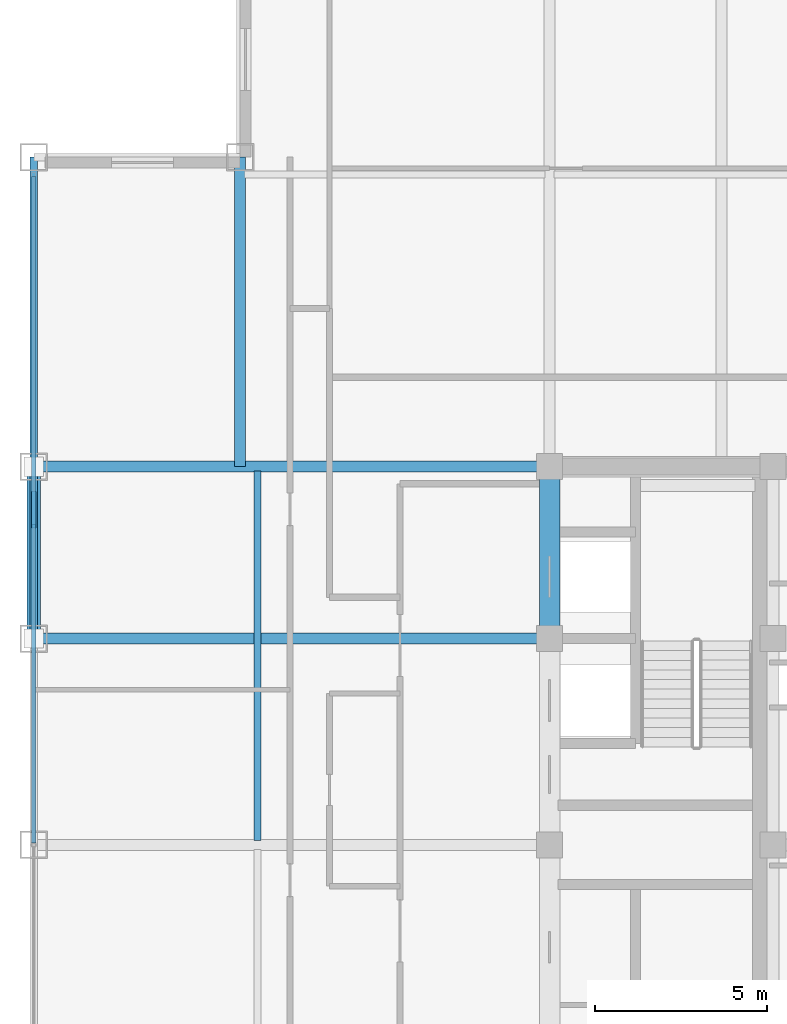
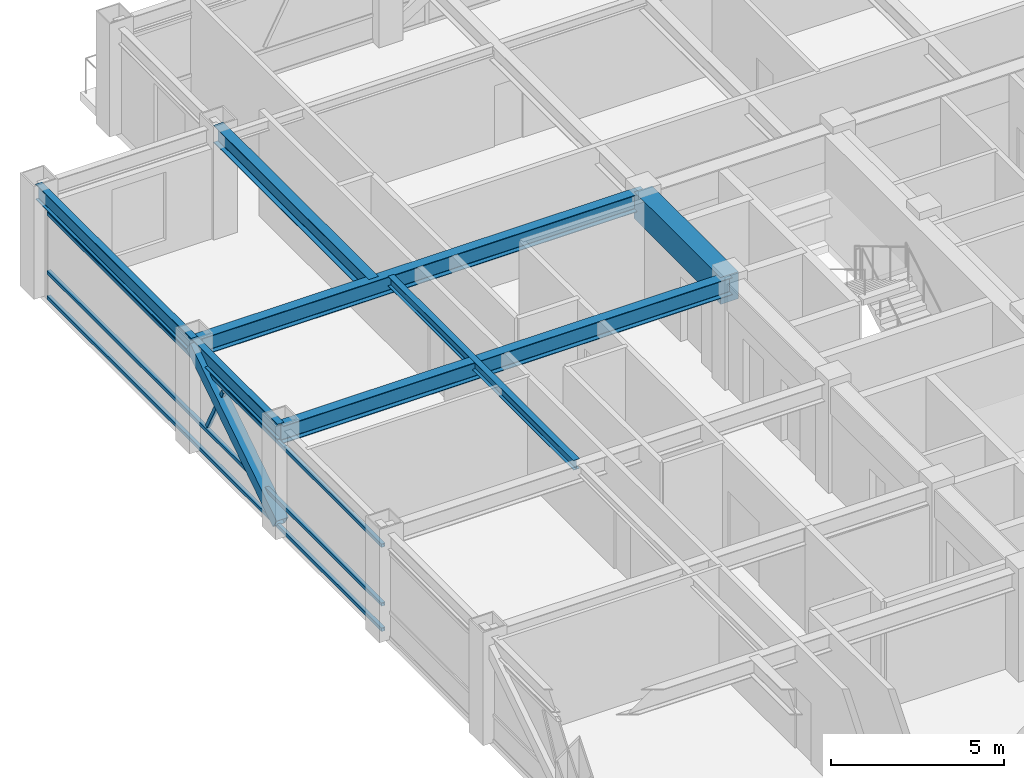
# One storey, part 14 of 30: 7 beams, 5 members, 1 element without a shape of its own.
"""IFC4 building model written with IfcOpenShell, lengths in metres."""

from ifc_helpers import new_model, si_unit, direction, frame, origin, origin_2d, place, context, subcontext, project, spatial, rectangle, hollow_rectangle, i_section, extrude, source, transform, mapped, material, material_profile, profile_set, type_object, element, aggregate, save


model = new_model("IFC4")

# Units and contexts
model_context = context("Model", 3, precision=1e-05, world=origin(), true_north=direction((0.0, 1.0)))
body_context = subcontext(model_context, "Body", "Model", "MODEL_VIEW")
ifc_project = project(units=[si_unit("LENGTHUNIT", "METRE"), si_unit("AREAUNIT", "SQUARE_METRE"), si_unit("VOLUMEUNIT", "CUBIC_METRE"), si_unit("PLANEANGLEUNIT", "RADIAN"), si_unit("MASSUNIT", "GRAM", prefix="KILO")], contexts=[model_context])

# Site, building, storey
site_placement = place(None, origin())
site = spatial("IfcSite", under=ifc_project, at=site_placement, CompositionType="ELEMENT")
building_placement = place(site_placement, origin())
building = spatial("IfcBuilding", under=site, at=building_placement, Name="Khorayat Bourse Tower", CompositionType="ELEMENT")
storey_placement = place(building_placement, frame((0.0, 0.0, 326.300048828125)))
storey = spatial("IfcBuildingStorey", under=building, at=storey_placement, Name="L77", CompositionType="ELEMENT", Elevation=326.300048828125)

# Beams
ifc_material_1 = material(Name="Concrete C60/75", Category="concrete")
ifc_material_profile_1 = material_profile(ifc_material_1, rectangle(XDim=0.60009765625, YDim=0.949951171875, at=origin_2d()), Name="RC 600x950")
ifc_profile_set_1 = profile_set([ifc_material_profile_1], Name="Concrete C60/75")
beam_type_1 = type_object("IfcBeamType", Name="BM-COUP-950", PredefinedType="BEAM", material=ifc_profile_set_1)
shared_shape_1 = source(origin(), body_context, "Body", "SweptSolid", [
    extrude(rectangle(XDim=0.60009765625, YDim=0.949951171875, at=origin_2d()), origin(), (0.0, 0.0, 1.0), 5.0),
])
beam_1_placement = place(storey_placement, frame((-11.0, 6.0, 3.264892578125), z_axis=(0.0, 1.0, 0.0), x_axis=(-1.0, 0.0, 0.0)))
element("IfcBeam", 1, at=beam_1_placement, inside=storey, type_object=beam_type_1, Name="L77 BM-COUP-950 BM-L77-CRX-04", PredefinedType="BEAM", context=body_context, shape_type="MappedRepresentation", body=[
    mapped(shared_shape_1, transform((0.0, 0.0, 0.0), scale=1.0)),
])
ifc_material_2 = material(Name="Steel ASTM A992 Grade 50", Category="steel")
ifc_material_profile_2 = material_profile(ifc_material_2, i_section(OverallWidth=0.202880859375, OverallDepth=0.346923828125, WebThickness=0.0078125, FlangeThickness=0.013427734375, FilletRadius=0.010009765625, at=origin_2d()), Name="W360X64")
ifc_profile_set_2 = profile_set([ifc_material_profile_2], Name="Steel ASTM A992 Grade 50")
beam_type_2 = type_object("IfcBeamType", Name="BM-JOIST-360", PredefinedType="JOIST", material=ifc_profile_set_2)
shared_shape_2 = source(origin(), body_context, "Body", "SweptSolid", [
    extrude(i_section(OverallWidth=0.202880859375, OverallDepth=0.346923828125, WebThickness=0.0078125, FlangeThickness=0.013427734375, FilletRadius=0.010009765625, at=origin_2d()), origin(), (0.0, 0.0, 1.0), 10.740234375),
])
beam_2_placement = place(storey_placement, frame((-19.5, 0.1298828125, 3.56640625), z_axis=(0.0, 1.0, 0.0), x_axis=(-1.0, 0.0, 0.0)))
element("IfcBeam", 2, at=beam_2_placement, inside=storey, type_object=beam_type_2, Name="L77 BM-JOIST-360 BM-L77-JSTY-087", PredefinedType="JOIST", context=body_context, shape_type="MappedRepresentation", body=[
    mapped(shared_shape_2, transform((0.0, 0.0, 0.0), scale=1.0)),
])
ifc_material_profile_3 = material_profile(ifc_material_2, i_section(OverallWidth=0.214111328125, OverallDepth=0.549072265625, WebThickness=0.0146484375, FlangeThickness=0.023681640625, FilletRadius=0.013916015625, at=origin_2d()), Name="W530X138")
ifc_profile_set_3 = profile_set([ifc_material_profile_3], Name="Steel ASTM A992 Grade 50")
beam_type_3 = type_object("IfcBeamType", Name="BM-SPAN-530", PredefinedType="SPANDREL", material=ifc_profile_set_3)
shared_shape_3 = source(origin(), body_context, "Body", "SweptSolid", [
    extrude(i_section(OverallWidth=0.214111328125, OverallDepth=0.549072265625, WebThickness=0.0146484375, FlangeThickness=0.023681640625, FilletRadius=0.013916015625, at=origin_2d()), origin(), (0.0, 0.0, 1.0), 9.0),
])
beam_3_placement = place(storey_placement, frame((-26.0, 11.0, 3.46533203125), z_axis=(0.0, 1.0, 0.0), x_axis=(-1.0, 0.0, 0.0)))
element("IfcBeam", 3, at=beam_3_placement, inside=storey, type_object=beam_type_3, Name="L77 BM-SPAN-530 BM-L77-SPN-048", PredefinedType="SPANDREL", context=body_context, shape_type="MappedRepresentation", body=[
    mapped(shared_shape_3, transform((0.0, 0.0, 0.0), scale=1.0)),
])
shared_shape_4 = source(origin(), body_context, "Body", "SweptSolid", [
    extrude(i_section(OverallWidth=0.214111328125, OverallDepth=0.549072265625, WebThickness=0.0146484375, FlangeThickness=0.023681640625, FilletRadius=0.013916015625, at=origin_2d()), origin(), (0.0, 0.0, 1.0), 5.0),
])
beam_4_placement = place(storey_placement, frame((-26.0, 6.0, 3.46533203125), z_axis=(0.0, 1.0, 0.0), x_axis=(-1.0, 0.0, 0.0)))
element("IfcBeam", 4, at=beam_4_placement, inside=storey, type_object=beam_type_3, Name="L77 BM-SPAN-530 BM-L77-SPN-049", PredefinedType="SPANDREL", context=body_context, shape_type="MappedRepresentation", body=[
    mapped(shared_shape_4, transform((0.0, 0.0, 0.0), scale=1.0)),
])
ifc_material_profile_4 = material_profile(ifc_material_2, i_section(OverallWidth=0.324951171875, OverallDepth=0.615966796875, WebThickness=0.013916015625, FlangeThickness=0.021484375, FilletRadius=0.01611328125, at=origin_2d()), Name="W610X174")
ifc_profile_set_4 = profile_set([ifc_material_profile_4], Name="Steel ASTM A992 Grade 50")
beam_type_4 = type_object("IfcBeamType", Name="BM-GIRD-610", PredefinedType="BEAM", material=ifc_profile_set_4)
shared_shape_5 = source(origin(), body_context, "Body", "SweptSolid", [
    extrude(i_section(OverallWidth=0.324951171875, OverallDepth=0.615966796875, WebThickness=0.013916015625, FlangeThickness=0.021484375, FilletRadius=0.01611328125, at=origin_2d()), origin(), (0.0, 0.0, 1.0), 15.0),
])
for number, where, z_axis, x_axis, name in (
    (5, (-26.0, 6.0, 3.431884765625), (1.0, 0.0, 0.0), (0.0, 1.0, 0.0), "L77 BM-GIRD-610 BM-L77-RADX-073"),
    (6, (-26.0, 11.0, 3.431884765625), (1.0, 0.0, 0.0), (0.0, 1.0, 0.0), "L77 BM-GIRD-610 BM-L77-RADX-075"),
):
    element("IfcBeam", number, at=place(storey_placement, frame(where, z_axis=z_axis, x_axis=x_axis)), inside=storey, type_object=beam_type_4, Name=name, PredefinedType="BEAM", context=body_context, shape_type="MappedRepresentation", body=[
        mapped(shared_shape_5, transform((0.0, 0.0, 0.0), scale=1.0)),
    ])
shared_shape_6 = source(origin(), body_context, "Body", "SweptSolid", [
    extrude(i_section(OverallWidth=0.324951171875, OverallDepth=0.615966796875, WebThickness=0.013916015625, FlangeThickness=0.021484375, FilletRadius=0.01611328125, at=origin_2d()), origin(), (0.0, 0.0, 1.0), 9.0),
])
beam_5_placement = place(storey_placement, frame((-20.0, 11.0, 3.431884765625), z_axis=(0.0, 1.0, 0.0), x_axis=(-1.0, 0.0, 0.0)))
element("IfcBeam", 7, at=beam_5_placement, inside=storey, type_object=beam_type_4, Name="L77 BM-GIRD-610 BM-L77-CNRY-077", PredefinedType="BEAM", context=body_context, shape_type="MappedRepresentation", body=[
    mapped(shared_shape_6, transform((0.0, 0.0, 0.0), scale=1.0)),
])

# Member
ifc_material_3 = material(Name="Steel EN 10025-4 S460M", Category="steel")
ifc_material_profile_5 = material_profile(ifc_material_3, hollow_rectangle(XDim=0.39990234375, YDim=0.39990234375, WallThickness=0.02197265625, at=origin_2d()), Name="HSS 400x400x22")
ifc_profile_set_5 = profile_set([ifc_material_profile_5], Name="Steel EN 10025-4 S460M")
member_type_1 = type_object("IfcMemberType", Name="MBR-TUBE-400", PredefinedType="BRACE", material=ifc_profile_set_5)
shared_shape_7 = source(origin(), body_context, "Body", "SweptSolid", [
    extrude(hollow_rectangle(XDim=0.39990234375, YDim=0.39990234375, WallThickness=0.02197265625, at=origin_2d()), origin(), (0.0, 0.0, 1.0), 5.9580078125),
])
member_1_placement = place(storey_placement, frame((-26.0, 6.0, 0.25), z_axis=(0.0, 0.839210474455, 0.543806748364), x_axis=(-1.0, 0.0, 0.0)))
element("IfcMember", 8, at=member_1_placement, inside=storey, type_object=member_type_1, Name="L77 Perimeter Tube Brace 06", PredefinedType="BRACE", context=body_context, shape_type="MappedRepresentation", body=[
    mapped(shared_shape_7, transform((0.0, 0.0, 0.0), scale=1.0)),
])

# Curtain wall, members
ifc_material_4 = material(Name="Aluminium EN AW-6063 T6", Category="aluminium")
curtain_wall_type = type_object("IfcCurtainWallType", Name="CW-SYS-04", PredefinedType="NOTDEFINED", material=ifc_material_4)
curtain_wall_placement = place(storey_placement, origin())
curtain_wall = element("IfcCurtainWall", 9, at=curtain_wall_placement, inside=storey, type_object=curtain_wall_type, Name="L77 Curtain Wall CW-L77-W1", PredefinedType="NOTDEFINED")
ifc_material_profile_6 = material_profile(ifc_material_4, hollow_rectangle(XDim=0.1201171875, YDim=0.1201171875, WallThickness=0.0048828125, at=origin_2d()), Name="ALU 120x120x5")
ifc_profile_set_6 = profile_set([ifc_material_profile_6], Name="Aluminium EN AW-6063 T6")
member_type_2 = type_object("IfcMemberType", Name="CWM-DIAG-120", PredefinedType="MULLION", material=ifc_profile_set_6)
shared_shape_8 = source(origin(), body_context, "Body", "SweptSolid", [
    extrude(hollow_rectangle(XDim=0.1201171875, YDim=0.1201171875, WallThickness=0.0048828125, at=origin_2d()), origin(), (0.0, 0.0, 1.0), 2.0341796875),
])
member_2_placement = place(storey_placement, frame((-26.0, 10.21875, 1.08984375), z_axis=(0.0, -0.465790950955, 0.884894790361), x_axis=(1.0, 0.0, 0.0)))
member_2 = element("IfcMember", 10, at=member_2_placement, type_object=member_type_2, Name="CW-L77-W1 Faceted Diagonal Mullion 2", PredefinedType="MULLION", context=body_context, shape_type="MappedRepresentation", body=[
    mapped(shared_shape_8, transform((0.0, 0.0, 0.0), scale=1.0)),
])
ifc_material_profile_7 = material_profile(ifc_material_4, hollow_rectangle(XDim=0.1201171875, YDim=0.1201171875, WallThickness=0.0048828125, at=origin_2d()), Name="ALU 120x120x5")
ifc_profile_set_7 = profile_set([ifc_material_profile_7], Name="Aluminium EN AW-6063 T6")
member_type_3 = type_object("IfcMemberType", Name="CWT-HORZ-120", PredefinedType="USERDEFINED", material=ifc_profile_set_7)
shared_shape_9 = source(origin(), body_context, "Body", "SweptSolid", [
    extrude(hollow_rectangle(XDim=0.1201171875, YDim=0.1201171875, WallThickness=0.0048828125, at=origin_2d()), origin(), (0.0, 0.0, 1.0), 19.369873046875),
])
member_3_placement = place(storey_placement, frame((-26.0, 0.06005859375, 0.06005859375), z_axis=(0.0, 1.0, 0.0), x_axis=(-1.0, 0.0, 0.0)))
member_3 = element("IfcMember", 11, at=member_3_placement, type_object=member_type_3, Name="CW-L77-W1 Horizontal Transom 2-1", ObjectType="TRANSOM", PredefinedType="USERDEFINED", context=body_context, shape_type="MappedRepresentation", body=[
    mapped(shared_shape_9, transform((0.0, 0.0, 0.0), scale=1.0)),
])
member_4_placement = place(storey_placement, frame((-26.0, 0.06005859375, 0.949951171875), z_axis=(0.0, 1.0, 0.0), x_axis=(-1.0, 0.0, 0.0)))
member_4 = element("IfcMember", 12, at=member_4_placement, type_object=member_type_3, Name="CW-L77-W1 Horizontal Transom 2-2", ObjectType="TRANSOM", PredefinedType="USERDEFINED", context=body_context, shape_type="MappedRepresentation", body=[
    mapped(shared_shape_9, transform((0.0, 0.0, 0.0), scale=1.0)),
])
member_5_placement = place(storey_placement, frame((-26.0, 0.06005859375, 3.030029296875), z_axis=(0.0, 1.0, 0.0), x_axis=(-1.0, 0.0, 0.0)))
member_5 = element("IfcMember", 13, at=member_5_placement, type_object=member_type_3, Name="CW-L77-W1 Horizontal Transom 2-3", ObjectType="TRANSOM", PredefinedType="USERDEFINED", context=body_context, shape_type="MappedRepresentation", body=[
    mapped(shared_shape_9, transform((0.0, 0.0, 0.0), scale=1.0)),
])
aggregate(curtain_wall, [member_3, member_4, member_5, member_2])

save(model, "model.ifc")
